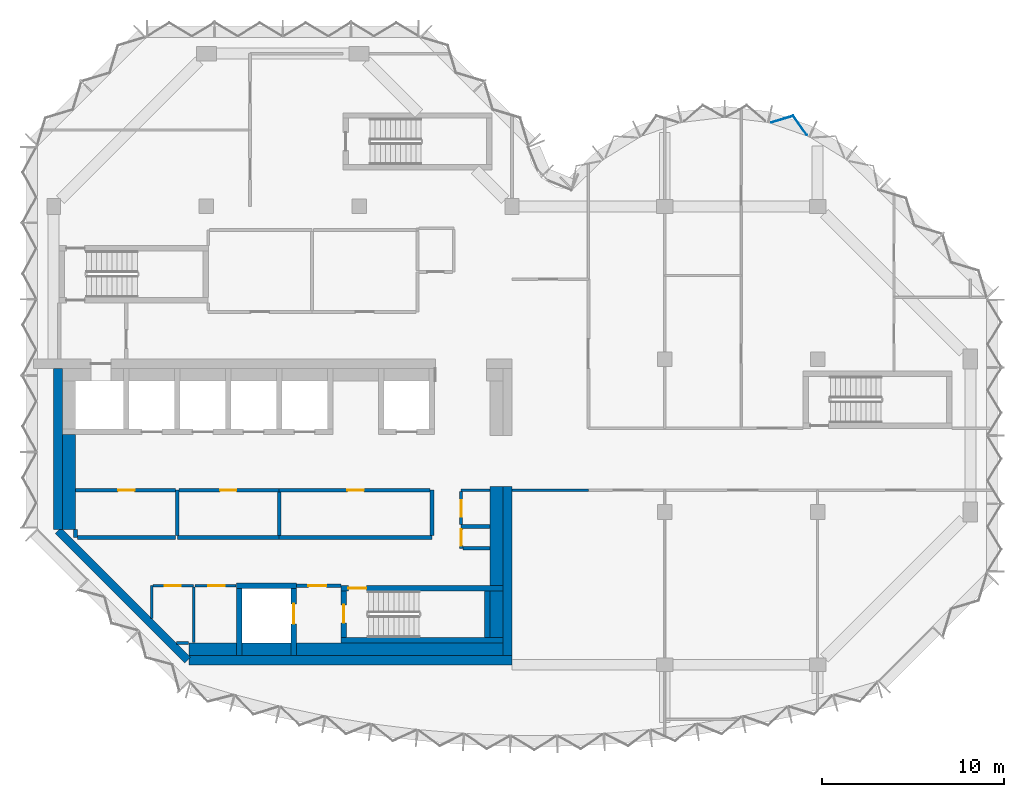
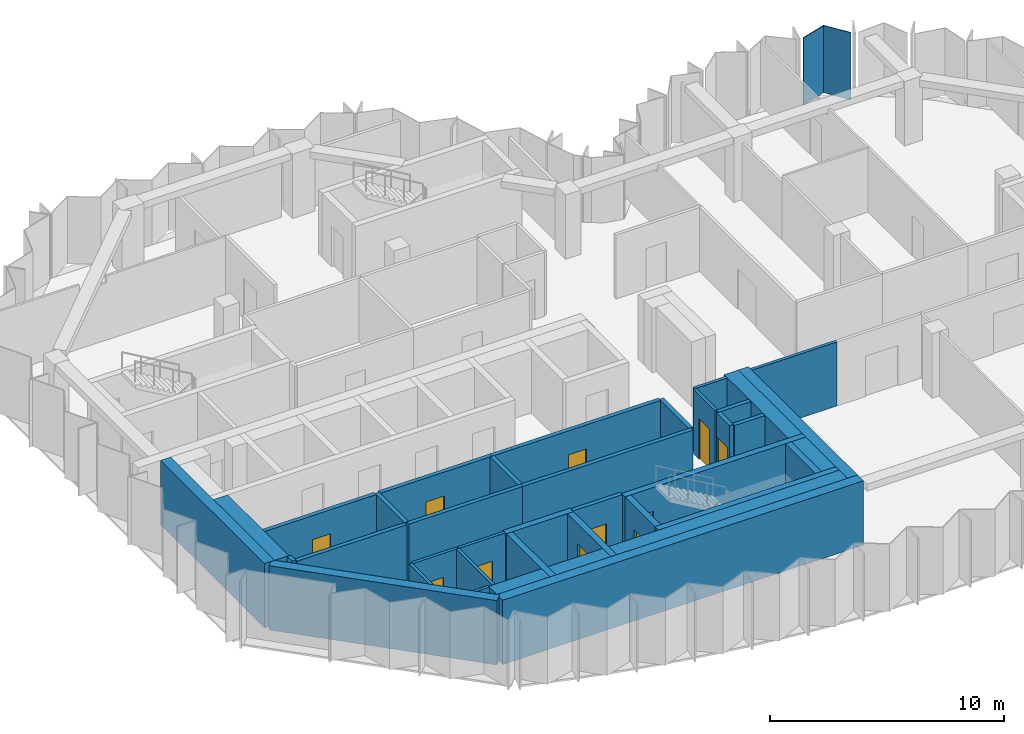
# One storey, part 4 of 10: 39 walls, 11 doors, 1 plate, 11 openings, 1 element without a shape of its own.
"""IFC4 building model written with IfcOpenShell, lengths in metres."""

from ifc_helpers import new_model, si_unit, direction, frame, frame_2d, origin, place, context, subcontext, project, spatial, polyline, rectangle, outline, extrude, material, layer, layer_set, type_object, element, fill, aggregate, save


model = new_model("IFC4")

# Units and contexts
model_context = context("Model", 3, precision=1e-05, world=origin(), true_north=direction((0.0, 1.0)))
body_context = subcontext(model_context, "Body", "Model", "MODEL_VIEW")
ifc_project = project(units=[si_unit("LENGTHUNIT", "METRE"), si_unit("AREAUNIT", "SQUARE_METRE"), si_unit("VOLUMEUNIT", "CUBIC_METRE"), si_unit("PLANEANGLEUNIT", "RADIAN"), si_unit("MASSUNIT", "GRAM", prefix="KILO")], contexts=[model_context])

# Site, building, storey
site_placement = place(None, origin())
site = spatial("IfcSite", under=ifc_project, at=site_placement, CompositionType="ELEMENT")
building_placement = place(site_placement, origin())
building = spatial("IfcBuilding", under=site, at=building_placement, Name="Brevane Broadcast Tower", CompositionType="ELEMENT")
storey_placement = place(building_placement, frame((0.0, 0.0, 233.699951171875)))
storey = spatial("IfcBuildingStorey", under=building, at=storey_placement, Name="L59", CompositionType="ELEMENT", Elevation=233.699951171875)

# Curtain wall, plate
ifc_material_1 = material(Name="Aluminium 6063-T6 bronze anodised", Category="aluminium")
curtain_wall_type = type_object("IfcCurtainWallType", Name="CW-1 curtain wall", PredefinedType="NOTDEFINED", material=ifc_material_1)
curtain_wall_placement = place(storey_placement, origin())
curtain_wall = element("IfcCurtainWall", 1, at=curtain_wall_placement, inside=storey, type_object=curtain_wall_type, Name="CW-1 typical tilted unit L59 east bow", PredefinedType="NOTDEFINED")
ifc_material_2 = material(Name="Laminated glass bronze-tinted", Category="glass")
ifc_layer_1 = layer(ifc_material_2, 0.0400390625)
ifc_layer_set_1 = layer_set([ifc_layer_1], Name="CW tall glass panel 40")
plate_type = type_object("IfcPlateType", Name="CW tall glass panel 40", PredefinedType="CURTAIN_PANEL", material=ifc_layer_set_1)
plate_placement = place(storey_placement, frame((0.0, 0.0, -0.14990234375)))
plate = element("IfcPlate", 2, at=plate_placement, type_object=plate_type, Name="CW-1 glass panel", PredefinedType="CURTAIN_PANEL", context=body_context, shape_type="SweptSolid", body=[
    extrude(outline(polyline([(41.3994140625, 29.104248046875), (41.4189453125, 29.1455078125), (40.667724609375, 30.20166015625), (39.45068359375, 29.83349609375), (39.440185546875, 29.78857421875), (40.65185546875, 30.155029296875), (41.3994140625, 29.104248046875)])), origin(), (0.0, 0.0, 1.0), 3.5),
])
aggregate(curtain_wall, [plate])

# Walls
ifc_material_3 = material(Name="Concrete C32/40", Category="concrete")
ifc_layer_2 = layer(ifc_material_3, 0.699951171875)
ifc_layer_set_2 = layer_set([ifc_layer_2], Name="Core chase wall 700 mm")
wall_type_1 = type_object("IfcWallType", Name="Core chase wall 700 mm", PredefinedType="PARTITIONING", material=ifc_layer_set_2)
wall_1_placement = place(storey_placement, frame((0.85009765625, 7.436279296875, 0.0), z_axis=(0.0, 0.0, 1.0), x_axis=(0.0, 1.0, 0.0)))
element("IfcWall", 3, at=wall_1_placement, inside=storey, type_object=wall_type_1, Name="L59 chase wall LW-1", PredefinedType="PARTITIONING", context=body_context, shape_type="SweptSolid", body=[
    extrude(rectangle(XDim=5.213623046875, YDim=0.699951171875, at=frame_2d((2.60693359375, 0.0))), origin(), (0.0, 0.0, 1.0), 3.35009765625),
])
wall_2_placement = place(storey_placement, frame((7.436279296875, 0.85009765625, 0.0), z_axis=(0.0, 0.0, 1.0), x_axis=(1.0, 0.0, 0.0)))
element("IfcWall", 4, at=wall_2_placement, inside=storey, type_object=wall_type_1, Name="L59 chase wall LS-1", PredefinedType="PARTITIONING", context=body_context, shape_type="SweptSolid", body=[
    extrude(rectangle(XDim=2.61376953125, YDim=0.699951171875, at=frame_2d((1.306884765625, 0.0))), origin(), (0.0, 0.0, 1.0), 3.35009765625),
])
wall_3_placement = place(storey_placement, frame((10.35009765625, 0.85009765625, 0.0), z_axis=(0.0, 0.0, 1.0), x_axis=(1.0, 0.0, 0.0)))
element("IfcWall", 5, at=wall_3_placement, inside=storey, type_object=wall_type_1, Name="L59 chase wall LS-2-1", PredefinedType="PARTITIONING", context=body_context, shape_type="SweptSolid", body=[
    extrude(rectangle(XDim=2.699951171875, YDim=0.699951171875, at=frame_2d((1.35009765625, 0.0))), origin(), (0.0, 0.0, 1.0), 3.35009765625),
])
wall_4_placement = place(storey_placement, frame((13.35009765625, 0.85009765625, 0.0), z_axis=(0.0, 0.0, 1.0), x_axis=(1.0, 0.0, 0.0)))
element("IfcWall", 6, at=wall_4_placement, inside=storey, type_object=wall_type_1, Name="L59 chase wall LS-2-2", PredefinedType="PARTITIONING", context=body_context, shape_type="SweptSolid", body=[
    extrude(rectangle(XDim=11.349853515625, YDim=0.699951171875, at=frame_2d((5.6748046875, 0.0))), origin(), (0.0, 0.0, 1.0), 3.35009765625),
])
wall_5_placement = place(storey_placement, frame((24.35009765625, 1.5, 0.0), z_axis=(0.0, 0.0, 1.0), x_axis=(0.0, 1.0, 0.0)))
element("IfcWall", 7, at=wall_5_placement, inside=storey, type_object=wall_type_1, Name="L59 chase wall LE1-2-1", PredefinedType="PARTITIONING", context=body_context, shape_type="SweptSolid", body=[
    extrude(rectangle(XDim=2.550048828125, YDim=0.699951171875, at=frame_2d((1.27490234375, 0.0))), origin(), (0.0, 0.0, 1.0), 3.35009765625),
])
wall_6_placement = place(storey_placement, frame((24.35009765625, 4.35009765625, 0.0), z_axis=(0.0, 0.0, 1.0), x_axis=(0.0, 1.0, 0.0)))
element("IfcWall", 8, at=wall_6_placement, inside=storey, type_object=wall_type_1, Name="L59 chase wall LE1-2-2", PredefinedType="PARTITIONING", context=body_context, shape_type="SweptSolid", body=[
    extrude(rectangle(XDim=5.449951171875, YDim=0.699951171875, at=frame_2d((2.72509765625, 0.0))), origin(), (0.0, 0.0, 1.0), 3.35009765625),
])
ifc_material_4 = material(Name="Gypsum board on steel studs", Category="steel")
ifc_layer_3 = layer(ifc_material_4, 0.14990234375)
ifc_layer_set_3 = layer_set([ifc_layer_3], Name="Core fire partition 150 mm")
wall_type_2 = type_object("IfcWallType", Name="Core fire partition 150 mm", PredefinedType="PARTITIONING", material=ifc_layer_set_3)
wall_7_placement = place(storey_placement, frame((5.39990234375, 2.553466796875, 0.0), z_axis=(0.0, 0.0, 1.0), x_axis=(0.0, 1.0, 0.0)))
element("IfcWall", 9, at=wall_7_placement, inside=storey, type_object=wall_type_2, Name="L59 partition wall P17", PredefinedType="PARTITIONING", context=body_context, shape_type="SweptSolid", body=[
    extrude(rectangle(XDim=1.796630859375, YDim=0.14990234375, at=frame_2d((0.8984375, 0.0))), origin(), (0.0, 0.0, 1.0), 3.35009765625),
])

# Wall, opening, door
wall_8_placement = place(storey_placement, frame((5.47509765625, 4.35009765625, 0.0), z_axis=(0.0, 0.0, 1.0), x_axis=(1.0, 0.0, 0.0)))
wall_8 = element("IfcWall", 10, at=wall_8_placement, inside=storey, type_object=wall_type_2, Name="L59 partition wall P18", PredefinedType="PARTITIONING", context=body_context, shape_type="SweptSolid", body=[
    extrude(rectangle(XDim=2.224853515625, YDim=0.14990234375, at=frame_2d((1.1123046875, 0.0))), origin(), (0.0, 0.0, 1.0), 3.35009765625),
])
opening_1_placement = place(wall_8_placement, frame((0.625, 0.0, 0.0)))
opening_1 = element("IfcOpeningElement", 11, at=opening_1_placement, cuts=wall_8, Name="Opening L59-K14", PredefinedType="OPENING", context=body_context, shape_type="SweptSolid", body=[
    extrude(rectangle(XDim=0.89990234375, YDim=2.10009765625, at=frame_2d((0.449951171875, 1.050048828125))), frame((0.0, 0.0849609375, 0.0), z_axis=(0.0, -1.0, 0.0), x_axis=(1.0, 0.0, 0.0)), (0.0, 0.0, 1.0), 0.169921875),
])
ifc_material_5 = material(Name="Timber", Category="wood")
door_type_1 = type_object("IfcDoorType", Name="Toilet door 900 x 2100", OperationType="SINGLE_SWING_LEFT", PredefinedType="DOOR", material=ifc_material_5)
door_1_placement = place(opening_1_placement, origin())
door_1 = element("IfcDoor", 12, at=door_1_placement, inside=storey, type_object=door_type_1, Name="Door L59-K14", OperationType="SINGLE_SWING_LEFT", OverallHeight=2.10009765625, OverallWidth=0.89990234375, PredefinedType="DOOR", context=body_context, shape_type="SweptSolid", body=[
    extrude(rectangle(XDim=0.89990234375, YDim=2.10009765625, at=frame_2d((0.449951171875, 1.050048828125))), frame((0.0, 0.02490234375, 0.0), z_axis=(0.0, -1.0, 0.0), x_axis=(1.0, 0.0, 0.0)), (0.0, 0.0, 1.0), 0.050048828125),
])
fill(opening_1, door_1)

# Walls
wall_9_placement = place(storey_placement, frame((7.699951171875, 4.27490234375, 0.0), z_axis=(0.0, 0.0, 1.0), x_axis=(0.0, -1.0, 0.0)))
element("IfcWall", 13, at=wall_9_placement, inside=storey, type_object=wall_type_2, Name="L59 partition wall P19", PredefinedType="PARTITIONING", context=body_context, shape_type="SweptSolid", body=[
    extrude(rectangle(XDim=3.06298828125, YDim=0.14990234375, at=frame_2d((1.531494140625, 0.0))), origin(), (0.0, 0.0, 1.0), 3.35009765625),
])
wall_10_placement = place(storey_placement, frame((7.42431640625, 1.199951171875, 0.0), z_axis=(0.0, 0.0, 1.0), x_axis=(-1.0, 0.0, 0.0)))
element("IfcWall", 14, at=wall_10_placement, inside=storey, type_object=wall_type_2, Name="L59 partition wall P20", PredefinedType="PARTITIONING", context=body_context, shape_type="SweptSolid", body=[
    extrude(rectangle(XDim=0.6708984375, YDim=0.14990234375, at=frame_2d((0.33544921875, 0.0))), origin(), (0.0, 0.0, 1.0), 3.35009765625),
])

# Wall, opening, door
wall_11_placement = place(storey_placement, frame((10.0380859375, 4.35009765625, 0.0), z_axis=(0.0, 0.0, 1.0), x_axis=(-1.0, 0.0, 0.0)))
wall_11 = element("IfcWall", 15, at=wall_11_placement, inside=storey, type_object=wall_type_2, Name="L59 partition wall P21", PredefinedType="PARTITIONING", context=body_context, shape_type="SweptSolid", body=[
    extrude(rectangle(XDim=2.26318359375, YDim=0.14990234375, at=frame_2d((1.131591796875, 0.0))), origin(), (0.0, 0.0, 1.0), 3.35009765625),
])
opening_2_placement = place(wall_11_placement, frame((0.637939453125, 0.0, 0.0)))
opening_2 = element("IfcOpeningElement", 16, at=opening_2_placement, cuts=wall_11, Name="Opening L59-K15", PredefinedType="OPENING", context=body_context, shape_type="SweptSolid", body=[
    extrude(rectangle(XDim=0.89990234375, YDim=2.10009765625, at=frame_2d((0.449951171875, 1.050048828125))), frame((0.0, 0.0849609375, 0.0), z_axis=(0.0, -1.0, 0.0), x_axis=(1.0, 0.0, 0.0)), (0.0, 0.0, 1.0), 0.169921875),
])
door_2_placement = place(opening_2_placement, origin())
door_2 = element("IfcDoor", 17, at=door_2_placement, inside=storey, type_object=door_type_1, Name="Door L59-K15", OperationType="SINGLE_SWING_RIGHT", OverallHeight=2.10009765625, OverallWidth=0.89990234375, PredefinedType="DOOR", context=body_context, shape_type="SweptSolid", body=[
    extrude(rectangle(XDim=0.89990234375, YDim=2.10009765625, at=frame_2d((0.449951171875, 1.050048828125))), frame((0.0, 0.02490234375, 0.0), z_axis=(0.0, -1.0, 0.0), x_axis=(1.0, 0.0, 0.0)), (0.0, 0.0, 1.0), 0.050048828125),
])
fill(opening_2, door_2)

# Wall
wall_12_placement = place(storey_placement, frame((23.988037109375, 9.60009765625, 0.0), z_axis=(0.0, 0.0, 1.0), x_axis=(-1.0, 0.0, 0.0)))
element("IfcWall", 18, at=wall_12_placement, inside=storey, type_object=wall_type_2, Name="L59 partition wall P35", PredefinedType="PARTITIONING", context=body_context, shape_type="SweptSolid", body=[
    extrude(rectangle(XDim=1.588134765625, YDim=0.14990234375, at=frame_2d((0.7939453125, 0.0))), origin(), (0.0, 0.0, 1.0), 3.35009765625),
])

# Wall, opening, door
wall_13_placement = place(storey_placement, frame((22.39990234375, 9.52490234375, 0.0), z_axis=(0.0, 0.0, 1.0), x_axis=(0.0, -1.0, 0.0)))
wall_13 = element("IfcWall", 19, at=wall_13_placement, inside=storey, type_object=wall_type_2, Name="L59 partition wall P36", PredefinedType="PARTITIONING", context=body_context, shape_type="SweptSolid", body=[
    extrude(rectangle(XDim=1.824951171875, YDim=0.14990234375, at=frame_2d((0.91259765625, 0.0))), origin(), (0.0, 0.0, 1.0), 3.35009765625),
])
opening_3_placement = place(wall_13_placement, frame((0.47509765625, 0.0, 0.0)))
opening_3 = element("IfcOpeningElement", 20, at=opening_3_placement, cuts=wall_13, Name="Opening L59-K18", PredefinedType="OPENING", context=body_context, shape_type="SweptSolid", body=[
    extrude(rectangle(XDim=0.89990234375, YDim=2.10009765625, at=frame_2d((0.449951171875, 1.050048828125))), frame((0.0, 0.0849609375, 0.0), z_axis=(0.0, -1.0, 0.0), x_axis=(1.0, 0.0, 0.0)), (0.0, 0.0, 1.0), 0.169921875),
])
ifc_material_6 = material(Name="Steel", Category="steel")
door_type_2 = type_object("IfcDoorType", Name="Service room door 900 x 2100", OperationType="SINGLE_SWING_LEFT", PredefinedType="DOOR", material=ifc_material_6)
door_3_placement = place(opening_3_placement, origin())
door_3 = element("IfcDoor", 21, at=door_3_placement, inside=storey, type_object=door_type_2, Name="Door L59-K18", OperationType="SINGLE_SWING_LEFT", OverallHeight=2.10009765625, OverallWidth=0.89990234375, PredefinedType="DOOR", context=body_context, shape_type="SweptSolid", body=[
    extrude(rectangle(XDim=0.89990234375, YDim=2.10009765625, at=frame_2d((0.449951171875, 1.050048828125))), frame((0.0, 0.02490234375, 0.0), z_axis=(0.0, -1.0, 0.0), x_axis=(1.0, 0.0, 0.0)), (0.0, 0.0, 1.0), 0.050048828125),
])
fill(opening_3, door_3)

ifc_layer_4 = layer(ifc_material_4, 0.199951171875)
ifc_layer_set_4 = layer_set([ifc_layer_4], Name="Core fire partition 200 mm")
wall_type_3 = type_object("IfcWallType", Name="Core fire partition 200 mm", PredefinedType="PARTITIONING", material=ifc_layer_set_4)
wall_14_placement = place(storey_placement, frame((13.362060546875, 4.35009765625, 0.0), z_axis=(0.0, 0.0, 1.0), x_axis=(1.0, 0.0, 0.0)))
wall_14 = element("IfcWall", 22, at=wall_14_placement, inside=storey, type_object=wall_type_3, Name="L59 partition wall P03", PredefinedType="PARTITIONING", context=body_context, shape_type="SweptSolid", body=[
    extrude(rectangle(XDim=2.426025390625, YDim=0.199951171875, at=frame_2d((1.212890625, 0.0))), origin(), (0.0, 0.0, 1.0), 3.35009765625),
])
opening_4_placement = place(wall_14_placement, frame((0.637939453125, 0.0, 0.0)))
opening_4 = element("IfcOpeningElement", 23, at=opening_4_placement, cuts=wall_14, Name="Opening L59-K16", PredefinedType="OPENING", context=body_context, shape_type="SweptSolid", body=[
    extrude(rectangle(XDim=1.0, YDim=2.10009765625, at=frame_2d((0.5, 1.050048828125))), frame((0.0, 0.10986328125, 0.0), z_axis=(0.0, -1.0, 0.0), x_axis=(1.0, 0.0, 0.0)), (0.0, 0.0, 1.0), 0.219970703125),
])
door_type_3 = type_object("IfcDoorType", Name="Stair door 1000 x 2100", OperationType="SINGLE_SWING_LEFT", PredefinedType="DOOR", material=ifc_material_6)
door_4_placement = place(opening_4_placement, origin())
door_4 = element("IfcDoor", 24, at=door_4_placement, inside=storey, type_object=door_type_3, Name="Door L59-K16", OperationType="SINGLE_SWING_LEFT", OverallHeight=2.10009765625, OverallWidth=1.0, PredefinedType="DOOR", context=body_context, shape_type="SweptSolid", body=[
    extrude(rectangle(XDim=1.0, YDim=2.10009765625, at=frame_2d((0.5, 1.050048828125))), frame((0.0, 0.02490234375, 0.0), z_axis=(0.0, -1.0, 0.0), x_axis=(1.0, 0.0, 0.0)), (0.0, 0.0, 1.0), 0.050048828125),
])
fill(opening_4, door_4)

# Walls
wall_15_placement = place(storey_placement, frame((6.800048828125, 7.0, 0.0), z_axis=(0.0, 0.0, 1.0), x_axis=(1.0, 0.0, 0.0)))
element("IfcWall", 25, at=wall_15_placement, inside=storey, type_object=wall_type_3, Name="L59 partition wall P04", PredefinedType="PARTITIONING", context=body_context, shape_type="SweptSolid", body=[
    extrude(rectangle(XDim=5.599853515625, YDim=0.199951171875, at=frame_2d((2.7998046875, 0.0))), origin(), (0.0, 0.0, 1.0), 3.35009765625),
])
wall_16_placement = place(storey_placement, frame((6.800048828125, 9.60009765625, 0.0), z_axis=(0.0, 0.0, 1.0), x_axis=(0.0, -1.0, 0.0)))
element("IfcWall", 26, at=wall_16_placement, inside=storey, type_object=wall_type_3, Name="L59 partition wall P05", PredefinedType="PARTITIONING", context=body_context, shape_type="SweptSolid", body=[
    extrude(rectangle(XDim=2.5, YDim=0.199951171875, at=frame_2d((1.25, 0.0))), origin(), (0.0, 0.0, 1.0), 3.35009765625),
])

# Wall, opening, door
wall_17_placement = place(storey_placement, frame((6.699951171875, 9.60009765625, 0.0), z_axis=(0.0, 0.0, 1.0), x_axis=(-1.0, 0.0, 0.0)))
wall_17 = element("IfcWall", 27, at=wall_17_placement, inside=storey, type_object=wall_type_3, Name="L59 partition wall P06", PredefinedType="PARTITIONING", context=body_context, shape_type="SweptSolid", body=[
    extrude(rectangle(XDim=5.488037109375, YDim=0.199951171875, at=frame_2d((2.744140625, 0.0))), origin(), (0.0, 0.0, 1.0), 3.35009765625),
])
opening_5_placement = place(wall_17_placement, frame((2.25, 0.0, 0.0)))
opening_5 = element("IfcOpeningElement", 28, at=opening_5_placement, cuts=wall_17, Name="Opening L59-K19", PredefinedType="OPENING", context=body_context, shape_type="SweptSolid", body=[
    extrude(rectangle(XDim=0.89990234375, YDim=2.10009765625, at=frame_2d((0.449951171875, 1.050048828125))), frame((0.0, 0.10986328125, 0.0), z_axis=(0.0, -1.0, 0.0), x_axis=(1.0, 0.0, 0.0)), (0.0, 0.0, 1.0), 0.219970703125),
])
door_5_placement = place(opening_5_placement, origin())
door_5 = element("IfcDoor", 29, at=door_5_placement, inside=storey, type_object=door_type_2, Name="Door L59-K19", OperationType="SINGLE_SWING_RIGHT", OverallHeight=2.10009765625, OverallWidth=0.89990234375, PredefinedType="DOOR", context=body_context, shape_type="SweptSolid", body=[
    extrude(rectangle(XDim=0.89990234375, YDim=2.10009765625, at=frame_2d((0.449951171875, 1.050048828125))), frame((0.0, 0.02490234375, 0.0), z_axis=(0.0, -1.0, 0.0), x_axis=(1.0, 0.0, 0.0)), (0.0, 0.0, 1.0), 0.050048828125),
])
fill(opening_5, door_5)

# Walls
wall_18_placement = place(storey_placement, frame((1.199951171875, 7.42431640625, 0.0), z_axis=(0.0, 0.0, 1.0), x_axis=(0.0, -1.0, 0.0)))
element("IfcWall", 30, at=wall_18_placement, inside=storey, type_object=wall_type_3, Name="L59 partition wall P07", PredefinedType="PARTITIONING", context=body_context, shape_type="SweptSolid", body=[
    extrude(rectangle(XDim=0.42431640625, YDim=0.199951171875, at=frame_2d((0.212158203125, 0.0))), origin(), (0.0, 0.0, 1.0), 3.35009765625),
])
wall_19_placement = place(storey_placement, frame((1.300048828125, 7.0, 0.0), z_axis=(0.0, 0.0, 1.0), x_axis=(1.0, 0.0, 0.0)))
element("IfcWall", 31, at=wall_19_placement, inside=storey, type_object=wall_type_3, Name="L59 partition wall P08", PredefinedType="PARTITIONING", context=body_context, shape_type="SweptSolid", body=[
    extrude(rectangle(XDim=5.39990234375, YDim=0.199951171875, at=frame_2d((2.699951171875, 0.0))), origin(), (0.0, 0.0, 1.0), 3.35009765625),
])

# Wall, opening, door
wall_20_placement = place(storey_placement, frame((12.39990234375, 9.60009765625, 0.0), z_axis=(0.0, 0.0, 1.0), x_axis=(-1.0, 0.0, 0.0)))
wall_20 = element("IfcWall", 32, at=wall_20_placement, inside=storey, type_object=wall_type_3, Name="L59 partition wall P09", PredefinedType="PARTITIONING", context=body_context, shape_type="SweptSolid", body=[
    extrude(rectangle(XDim=5.5, YDim=0.199951171875, at=frame_2d((2.75, 0.0))), origin(), (0.0, 0.0, 1.0), 3.35009765625),
])
opening_6_placement = place(wall_20_placement, frame((2.35009765625, 0.0, 0.0)))
opening_6 = element("IfcOpeningElement", 33, at=opening_6_placement, cuts=wall_20, Name="Opening L59-K20", PredefinedType="OPENING", context=body_context, shape_type="SweptSolid", body=[
    extrude(rectangle(XDim=0.89990234375, YDim=2.10009765625, at=frame_2d((0.449951171875, 1.050048828125))), frame((0.0, 0.10986328125, 0.0), z_axis=(0.0, -1.0, 0.0), x_axis=(1.0, 0.0, 0.0)), (0.0, 0.0, 1.0), 0.219970703125),
])
door_6_placement = place(opening_6_placement, origin())
door_6 = element("IfcDoor", 34, at=door_6_placement, inside=storey, type_object=door_type_2, Name="Door L59-K20", OperationType="SINGLE_SWING_LEFT", OverallHeight=2.10009765625, OverallWidth=0.89990234375, PredefinedType="DOOR", context=body_context, shape_type="SweptSolid", body=[
    extrude(rectangle(XDim=0.89990234375, YDim=2.10009765625, at=frame_2d((0.449951171875, 1.050048828125))), frame((0.0, 0.02490234375, 0.0), z_axis=(0.0, -1.0, 0.0), x_axis=(1.0, 0.0, 0.0)), (0.0, 0.0, 1.0), 0.050048828125),
])
fill(opening_6, door_6)

# Walls
wall_21_placement = place(storey_placement, frame((12.39990234375, 7.0, 0.0), z_axis=(0.0, 0.0, 1.0), x_axis=(1.0, 0.0, 0.0)))
element("IfcWall", 35, at=wall_21_placement, inside=storey, type_object=wall_type_3, Name="L59 partition wall P10", PredefinedType="PARTITIONING", context=body_context, shape_type="SweptSolid", body=[
    extrude(rectangle(XDim=8.400146484375, YDim=0.199951171875, at=frame_2d((4.2001953125, 0.0))), origin(), (0.0, 0.0, 1.0), 3.35009765625),
])
wall_22_placement = place(storey_placement, frame((20.800048828125, 7.10009765625, 0.0), z_axis=(0.0, 0.0, 1.0), x_axis=(0.0, 1.0, 0.0)))
element("IfcWall", 36, at=wall_22_placement, inside=storey, type_object=wall_type_3, Name="L59 partition wall P11", PredefinedType="PARTITIONING", context=body_context, shape_type="SweptSolid", body=[
    extrude(rectangle(XDim=2.5, YDim=0.199951171875, at=frame_2d((1.25, 0.0))), origin(), (0.0, 0.0, 1.0), 3.35009765625),
])

# Wall, opening, door
wall_23_placement = place(storey_placement, frame((20.699951171875, 9.60009765625, 0.0), z_axis=(0.0, 0.0, 1.0), x_axis=(-1.0, 0.0, 0.0)))
wall_23 = element("IfcWall", 37, at=wall_23_placement, inside=storey, type_object=wall_type_3, Name="L59 partition wall P12", PredefinedType="PARTITIONING", context=body_context, shape_type="SweptSolid", body=[
    extrude(rectangle(XDim=8.300048828125, YDim=0.199951171875, at=frame_2d((4.14990234375, 0.0))), origin(), (0.0, 0.0, 1.0), 3.35009765625),
])
opening_7_placement = place(wall_23_placement, frame((3.64990234375, 0.0, 0.0)))
opening_7 = element("IfcOpeningElement", 38, at=opening_7_placement, cuts=wall_23, Name="Opening L59-K21", PredefinedType="OPENING", context=body_context, shape_type="SweptSolid", body=[
    extrude(rectangle(XDim=0.89990234375, YDim=2.10009765625, at=frame_2d((0.449951171875, 1.050048828125))), frame((0.0, 0.10986328125, 0.0), z_axis=(0.0, -1.0, 0.0), x_axis=(1.0, 0.0, 0.0)), (0.0, 0.0, 1.0), 0.219970703125),
])
door_7_placement = place(opening_7_placement, origin())
door_7 = element("IfcDoor", 39, at=door_7_placement, inside=storey, type_object=door_type_2, Name="Door L59-K21", OperationType="SINGLE_SWING_RIGHT", OverallHeight=2.10009765625, OverallWidth=0.89990234375, PredefinedType="DOOR", context=body_context, shape_type="SweptSolid", body=[
    extrude(rectangle(XDim=0.89990234375, YDim=2.10009765625, at=frame_2d((0.449951171875, 1.050048828125))), frame((0.0, 0.02490234375, 0.0), z_axis=(0.0, -1.0, 0.0), x_axis=(1.0, 0.0, 0.0)), (0.0, 0.0, 1.0), 0.050048828125),
])
fill(opening_7, door_7)

# Walls
wall_24_placement = place(storey_placement, frame((12.39990234375, 9.5, 0.0), z_axis=(0.0, 0.0, 1.0), x_axis=(0.0, -1.0, 0.0)))
element("IfcWall", 40, at=wall_24_placement, inside=storey, type_object=wall_type_3, Name="L59 partition wall P13", PredefinedType="PARTITIONING", context=body_context, shape_type="SweptSolid", body=[
    extrude(rectangle(XDim=2.39990234375, YDim=0.199951171875, at=frame_2d((1.199951171875, 0.0))), origin(), (0.0, 0.0, 1.0), 3.35009765625),
])
wall_25_placement = place(storey_placement, frame((23.988037109375, 7.60009765625, 0.0), z_axis=(0.0, 0.0, 1.0), x_axis=(-1.0, 0.0, 0.0)))
element("IfcWall", 41, at=wall_25_placement, inside=storey, type_object=wall_type_3, Name="L59 partition wall P14", PredefinedType="PARTITIONING", context=body_context, shape_type="SweptSolid", body=[
    extrude(rectangle(XDim=1.588134765625, YDim=0.199951171875, at=frame_2d((0.7939453125, 0.0))), origin(), (0.0, 0.0, 1.0), 3.35009765625),
])

# Wall, opening, door
wall_26_placement = place(storey_placement, frame((22.39990234375, 7.5, 0.0), z_axis=(0.0, 0.0, 1.0), x_axis=(0.0, -1.0, 0.0)))
wall_26 = element("IfcWall", 42, at=wall_26_placement, inside=storey, type_object=wall_type_3, Name="L59 partition wall P15", PredefinedType="PARTITIONING", context=body_context, shape_type="SweptSolid", body=[
    extrude(rectangle(XDim=1.10009765625, YDim=0.199951171875, at=frame_2d((0.550048828125, 0.0))), origin(), (0.0, 0.0, 1.0), 3.35009765625),
])
opening_8_placement = place(wall_26_placement, frame((0.050048828125, 0.0, 0.0)))
opening_8 = element("IfcOpeningElement", 43, at=opening_8_placement, cuts=wall_26, Name="Opening L59-K17", PredefinedType="OPENING", context=body_context, shape_type="SweptSolid", body=[
    extrude(rectangle(XDim=0.89990234375, YDim=2.10009765625, at=frame_2d((0.449951171875, 1.050048828125))), frame((0.0, 0.10986328125, 0.0), z_axis=(0.0, -1.0, 0.0), x_axis=(1.0, 0.0, 0.0)), (0.0, 0.0, 1.0), 0.219970703125),
])
door_8_placement = place(opening_8_placement, origin())
door_8 = element("IfcDoor", 44, at=door_8_placement, inside=storey, type_object=door_type_2, Name="Door L59-K17", OperationType="SINGLE_SWING_RIGHT", OverallHeight=2.10009765625, OverallWidth=0.89990234375, PredefinedType="DOOR", context=body_context, shape_type="SweptSolid", body=[
    extrude(rectangle(XDim=0.89990234375, YDim=2.10009765625, at=frame_2d((0.449951171875, 1.050048828125))), frame((0.0, 0.02490234375, 0.0), z_axis=(0.0, -1.0, 0.0), x_axis=(1.0, 0.0, 0.0)), (0.0, 0.0, 1.0), 0.050048828125),
])
fill(opening_8, door_8)

# Walls
wall_27_placement = place(storey_placement, frame((22.5, 6.39990234375, 0.0), z_axis=(0.0, 0.0, 1.0), x_axis=(1.0, 0.0, 0.0)))
element("IfcWall", 45, at=wall_27_placement, inside=storey, type_object=wall_type_3, Name="L59 partition wall P16", PredefinedType="PARTITIONING", context=body_context, shape_type="SweptSolid", body=[
    extrude(rectangle(XDim=1.488037109375, YDim=0.199951171875, at=frame_2d((0.744140625, 0.0))), origin(), (0.0, 0.0, 1.0), 3.35009765625),
])
ifc_material_7 = material(Name="Concrete C50/60", Category="concrete")
ifc_layer_5 = layer(ifc_material_7, 0.300048828125)
ifc_layer_set_5 = layer_set([ifc_layer_5], Name="Core wall 300 mm C50/60")
wall_type_4 = type_object("IfcWallType", Name="Core wall 300 mm C50/60", PredefinedType="SHEAR", material=ifc_layer_set_5)
wall_28_placement = place(storey_placement, frame((10.199951171875, 0.5, 0.0), z_axis=(0.0, 0.0, 1.0), x_axis=(0.0, 1.0, 0.0)))
element("IfcWall", 46, at=wall_28_placement, inside=storey, type_object=wall_type_4, Name="L59 shaft wall FF2-W", PredefinedType="SHEAR", context=body_context, shape_type="SweptSolid", body=[
    extrude(rectangle(XDim=3.699951171875, YDim=0.300048828125, at=frame_2d((1.85009765625, 0.0))), origin(), (0.0, 0.0, 1.0), 3.35009765625),
])

# Wall, opening, door
wall_29_placement = place(storey_placement, frame((13.199951171875, 0.5, 0.0), z_axis=(0.0, 0.0, 1.0), x_axis=(0.0, 1.0, 0.0)))
wall_29 = element("IfcWall", 47, at=wall_29_placement, inside=storey, type_object=wall_type_4, Name="L59 shaft wall FF2-E", PredefinedType="SHEAR", context=body_context, shape_type="SweptSolid", body=[
    extrude(rectangle(XDim=3.699951171875, YDim=0.300048828125, at=frame_2d((1.85009765625, 0.0))), origin(), (0.0, 0.0, 1.0), 3.35009765625),
])
opening_9_placement = place(wall_29_placement, frame((1.75, 0.0, 0.0)))
opening_9 = element("IfcOpeningElement", 48, at=opening_9_placement, cuts=wall_29, Name="Opening LD", PredefinedType="OPENING", context=body_context, shape_type="SweptSolid", body=[
    extrude(rectangle(XDim=1.10009765625, YDim=2.300048828125, at=frame_2d((0.550048828125, 1.14990234375))), frame((0.0, 0.159912109375, 0.0), z_axis=(0.0, -1.0, 0.0), x_axis=(1.0, 0.0, 0.0)), (0.0, 0.0, 1.0), 0.320068359375),
])
ifc_material_8 = material(Name="Stainless steel", Category="steel")
door_type_4 = type_object("IfcDoorType", Name="Lift landing door", OperationType="SLIDING_TO_LEFT", PredefinedType="DOOR", material=ifc_material_8)
door_9_placement = place(opening_9_placement, origin())
door_9 = element("IfcDoor", 49, at=door_9_placement, inside=storey, type_object=door_type_4, Name="Landing door FF2 L59", OperationType="SLIDING_TO_LEFT", OverallHeight=2.300048828125, OverallWidth=1.10009765625, PredefinedType="DOOR", context=body_context, shape_type="SweptSolid", body=[
    extrude(rectangle(XDim=1.10009765625, YDim=2.300048828125, at=frame_2d((0.550048828125, 1.14990234375))), frame((0.0, 0.02490234375, 0.0), z_axis=(0.0, -1.0, 0.0), x_axis=(1.0, 0.0, 0.0)), (0.0, 0.0, 1.0), 0.050048828125),
])
fill(opening_9, door_9)

# Walls
wall_30_placement = place(storey_placement, frame((10.050048828125, 4.35009765625, 0.0), z_axis=(0.0, 0.0, 1.0), x_axis=(1.0, 0.0, 0.0)))
element("IfcWall", 50, at=wall_30_placement, inside=storey, type_object=wall_type_4, Name="L59 shaft wall FF2-N", PredefinedType="SHEAR", context=body_context, shape_type="SweptSolid", body=[
    extrude(rectangle(XDim=3.300048828125, YDim=0.300048828125, at=frame_2d((1.64990234375, 0.0))), origin(), (0.0, 0.0, 1.0), 3.35009765625),
])
wall_31_placement = place(storey_placement, frame((15.800048828125, 1.35009765625, 0.0), z_axis=(0.0, 0.0, 1.0), x_axis=(1.0, 0.0, 0.0)))
element("IfcWall", 51, at=wall_31_placement, inside=storey, type_object=wall_type_4, Name="L59 stair wall ST-2-S", PredefinedType="SHEAR", context=body_context, shape_type="SweptSolid", body=[
    extrude(rectangle(XDim=8.89990234375, YDim=0.300048828125, at=frame_2d((4.449951171875, 0.0))), origin(), (0.0, 0.0, 1.0), 3.35009765625),
])

# Wall, opening, door
wall_32_placement = place(storey_placement, frame((15.800048828125, 4.199951171875, 0.0), z_axis=(0.0, 0.0, 1.0), x_axis=(1.0, 0.0, 0.0)))
wall_32 = element("IfcWall", 52, at=wall_32_placement, inside=storey, type_object=wall_type_4, Name="L59 stair wall ST-2-N", PredefinedType="SHEAR", context=body_context, shape_type="SweptSolid", body=[
    extrude(rectangle(XDim=8.89990234375, YDim=0.300048828125, at=frame_2d((4.449951171875, 0.0))), origin(), (0.0, 0.0, 1.0), 3.35009765625),
])
opening_10_placement = place(wall_32_placement, frame((0.39990234375, 0.0, 0.0)))
opening_10 = element("IfcOpeningElement", 53, at=opening_10_placement, cuts=wall_32, Name="Opening L59-K11", PredefinedType="OPENING", context=body_context, shape_type="SweptSolid", body=[
    extrude(rectangle(XDim=1.0, YDim=2.10009765625, at=frame_2d((0.5, 1.050048828125))), frame((0.0, 0.159912109375, 0.0), z_axis=(0.0, -1.0, 0.0), x_axis=(1.0, 0.0, 0.0)), (0.0, 0.0, 1.0), 0.320068359375),
])
door_10_placement = place(opening_10_placement, origin())
door_10 = element("IfcDoor", 54, at=door_10_placement, inside=storey, type_object=door_type_3, Name="Door L59-K11", OperationType="SINGLE_SWING_RIGHT", OverallHeight=2.10009765625, OverallWidth=1.0, PredefinedType="DOOR", context=body_context, shape_type="SweptSolid", body=[
    extrude(rectangle(XDim=1.0, YDim=2.10009765625, at=frame_2d((0.5, 1.050048828125))), frame((0.0, 0.02490234375, 0.0), z_axis=(0.0, -1.0, 0.0), x_axis=(1.0, 0.0, 0.0)), (0.0, 0.0, 1.0), 0.050048828125),
])
fill(opening_10, door_10)

wall_33_placement = place(storey_placement, frame((15.949951171875, 1.5, 0.0), z_axis=(0.0, 0.0, 1.0), x_axis=(0.0, 1.0, 0.0)))
wall_33 = element("IfcWall", 55, at=wall_33_placement, inside=storey, type_object=wall_type_4, Name="L59 stair wall ST-2-W", PredefinedType="SHEAR", context=body_context, shape_type="SweptSolid", body=[
    extrude(rectangle(XDim=2.550048828125, YDim=0.300048828125, at=frame_2d((1.27490234375, 0.0))), origin(), (0.0, 0.0, 1.0), 3.35009765625),
])
opening_11_placement = place(wall_33_placement, frame((0.800048828125, 0.0, 0.0)))
opening_11 = element("IfcOpeningElement", 56, at=opening_11_placement, cuts=wall_33, Name="Opening L59-K10", PredefinedType="OPENING", context=body_context, shape_type="SweptSolid", body=[
    extrude(rectangle(XDim=1.0, YDim=2.10009765625, at=frame_2d((0.5, 1.050048828125))), frame((0.0, 0.159912109375, 0.0), z_axis=(0.0, -1.0, 0.0), x_axis=(1.0, 0.0, 0.0)), (0.0, 0.0, 1.0), 0.320068359375),
])
door_11_placement = place(opening_11_placement, origin())
door_11 = element("IfcDoor", 57, at=door_11_placement, inside=storey, type_object=door_type_3, Name="Door L59-K10", OperationType="SINGLE_SWING_LEFT", OverallHeight=2.10009765625, OverallWidth=1.0, PredefinedType="DOOR", context=body_context, shape_type="SweptSolid", body=[
    extrude(rectangle(XDim=1.0, YDim=2.10009765625, at=frame_2d((0.5, 1.050048828125))), frame((0.0, 0.02490234375, 0.0), z_axis=(0.0, -1.0, 0.0), x_axis=(1.0, 0.0, 0.0)), (0.0, 0.0, 1.0), 0.050048828125),
])
fill(opening_11, door_11)

# Walls
wall_34_placement = place(storey_placement, frame((23.85009765625, 1.5, 0.0), z_axis=(0.0, 0.0, 1.0), x_axis=(0.0, 1.0, 0.0)))
element("IfcWall", 58, at=wall_34_placement, inside=storey, type_object=wall_type_4, Name="L59 stair wall ST-2-E", PredefinedType="SHEAR", context=body_context, shape_type="SweptSolid", body=[
    extrude(rectangle(XDim=2.550048828125, YDim=0.300048828125, at=frame_2d((1.27490234375, 0.0))), origin(), (0.0, 0.0, 1.0), 3.35009765625),
])
ifc_layer_6 = layer(ifc_material_7, 0.449951171875)
ifc_layer_set_6 = layer_set([ifc_layer_6], Name="Core wall 450 mm C50/60")
wall_type_5 = type_object("IfcWallType", Name="Core wall 450 mm C50/60", PredefinedType="SHEAR", material=ifc_layer_set_6)
wall_35_placement = place(storey_placement, frame((0.25, 7.3681640625, 0.0), z_axis=(0.0, 0.0, 1.0), x_axis=(0.707106781187, -0.707106781187, 0.0)))
element("IfcWall", 59, at=wall_35_placement, inside=storey, type_object=wall_type_5, Name="L59 outer wall WC", PredefinedType="SHEAR", context=body_context, shape_type="SweptSolid", body=[
    extrude(rectangle(XDim=10.066650390625, YDim=0.449951171875, at=frame_2d((5.033203125, 0.0))), origin(), (0.0, 0.0, 1.0), 3.35009765625),
])
ifc_layer_7 = layer(ifc_material_7, 0.5)
ifc_layer_set_7 = layer_set([ifc_layer_7], Name="Core wall 500 mm C50/60")
wall_type_6 = type_object("IfcWallType", Name="Core wall 500 mm C50/60", PredefinedType="SHEAR", material=ifc_layer_set_7)
wall_36_placement = place(storey_placement, frame((7.436279296875, 0.25, 0.0), z_axis=(0.0, 0.0, 1.0), x_axis=(1.0, 0.0, 0.0)))
element("IfcWall", 60, at=wall_36_placement, inside=storey, type_object=wall_type_6, Name="L59 outer wall WS", PredefinedType="SHEAR", context=body_context, shape_type="SweptSolid", body=[
    extrude(rectangle(XDim=17.763671875, YDim=0.5, at=frame_2d((8.8818359375, 0.0))), origin(), (0.0, 0.0, 1.0), 3.35009765625),
])
wall_37_placement = place(storey_placement, frame((0.25, 7.436279296875, 0.0), z_axis=(0.0, 0.0, 1.0), x_axis=(0.0, 1.0, 0.0)))
element("IfcWall", 61, at=wall_37_placement, inside=storey, type_object=wall_type_6, Name="L59 outer wall WW", PredefinedType="SHEAR", context=body_context, shape_type="SweptSolid", body=[
    extrude(rectangle(XDim=8.86376953125, YDim=0.5, at=frame_2d((4.431884765625, 0.0))), origin(), (0.0, 0.0, 1.0), 3.35009765625),
])
wall_38_placement = place(storey_placement, frame((24.949951171875, 0.5, 0.0), z_axis=(0.0, 0.0, 1.0), x_axis=(0.0, 1.0, 0.0)))
element("IfcWall", 62, at=wall_38_placement, inside=storey, type_object=wall_type_6, Name="L59 outer wall WE1", PredefinedType="SHEAR", context=body_context, shape_type="SweptSolid", body=[
    extrude(rectangle(XDim=9.300048828125, YDim=0.5, at=frame_2d((4.64990234375, 0.0))), origin(), (0.0, 0.0, 1.0), 3.35009765625),
])
ifc_material_9 = material(Name="Gypsum board partition")
ifc_layer_8 = layer(ifc_material_9, 0.14990234375)
ifc_layer_set_8 = layer_set([ifc_layer_8], Name="PARTITION 150 EI 60")
wall_type_7 = type_object("IfcWallType", Name="PARTITION 150 EI 60", PredefinedType="PARTITIONING", material=ifc_layer_set_8)
wall_39_placement = place(storey_placement, frame((29.39990234375, 9.60009765625, 0.0), z_axis=(0.0, 0.0, 1.0), x_axis=(-1.0, 0.0, 0.0)))
element("IfcWall", 63, at=wall_39_placement, inside=storey, type_object=wall_type_7, Name="Partition G18-002", PredefinedType="PARTITIONING", context=body_context, shape_type="SweptSolid", body=[
    extrude(rectangle(XDim=4.199951171875, YDim=0.14990234375, at=frame_2d((2.10009765625, 0.0))), origin(), (0.0, 0.0, 1.0), 3.330078125),
])

save(model, "model.ifc")
